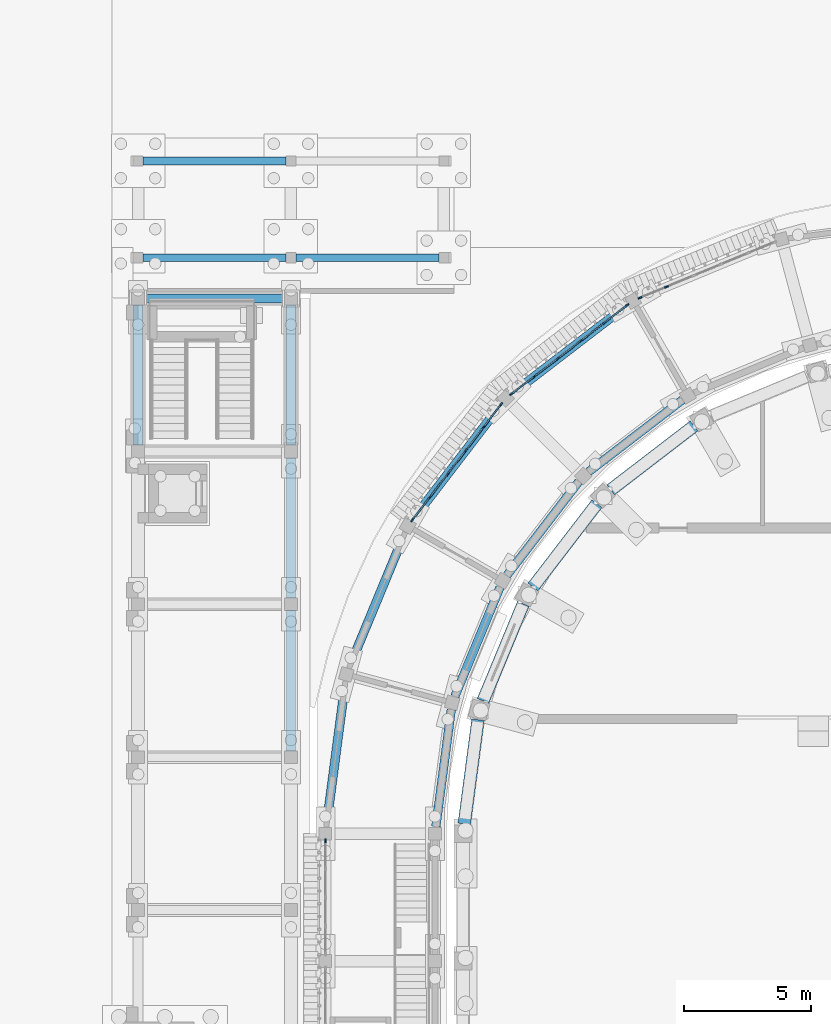
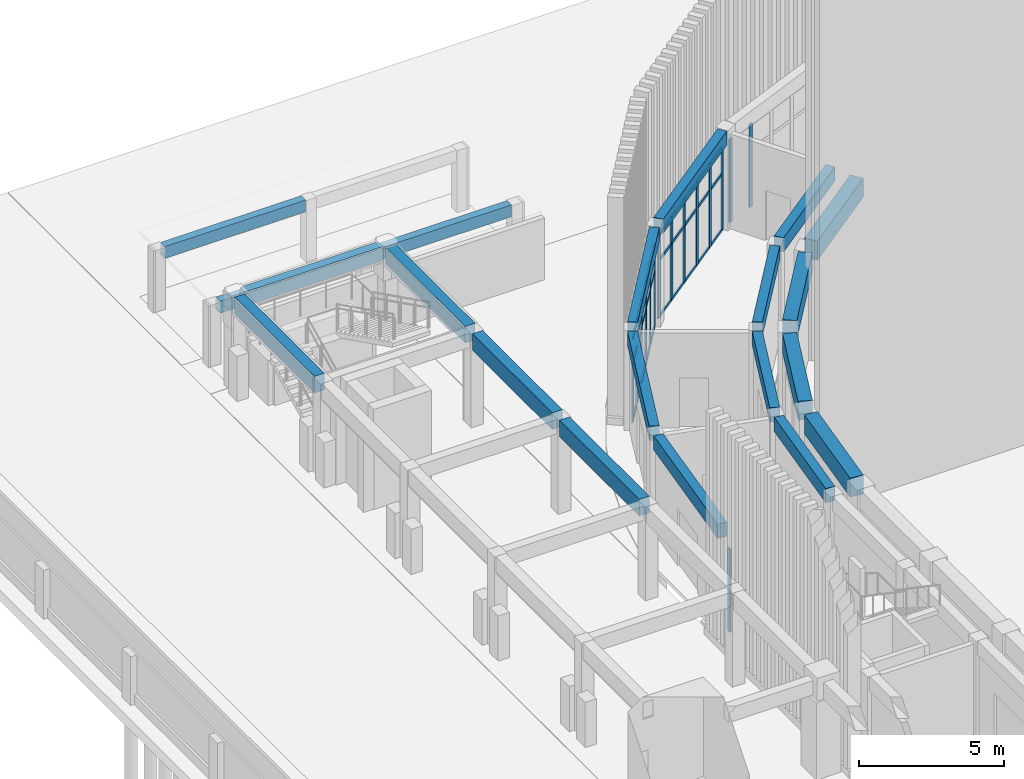
# One storey, part 31 of 112: 45 members, 20 beams, 4 elements without a shape of their own.
"""IFC4 building model written with IfcOpenShell, lengths in metres."""

from ifc_helpers import new_model, si_unit, direction, frame, origin, origin_2d, place, context, subcontext, project, spatial, rectangle, extrude, material, layer, layer_set, material_profile, profile_set, type_object, element, aggregate, save


model = new_model("IFC4")

# Units and contexts
model_context = context("Model", 3, precision=1e-05, world=origin(), true_north=direction((0.0, 1.0)))
body_context = subcontext(model_context, "Body", "Model", "MODEL_VIEW")
ifc_project = project(units=[si_unit("LENGTHUNIT", "METRE"), si_unit("AREAUNIT", "SQUARE_METRE"), si_unit("VOLUMEUNIT", "CUBIC_METRE"), si_unit("PLANEANGLEUNIT", "RADIAN"), si_unit("MASSUNIT", "GRAM", prefix="KILO")], contexts=[model_context])

# Site, building, storey
site_placement = place(None, origin())
site = spatial("IfcSite", under=ifc_project, at=site_placement, CompositionType="ELEMENT")
building_placement = place(site_placement, origin())
building = spatial("IfcBuilding", under=site, at=building_placement, Name="Wasatch Bagh Community Centre", CompositionType="ELEMENT")
storey_placement = place(building_placement, origin())
storey = spatial("IfcBuildingStorey", under=building, at=storey_placement, Name="L00", CompositionType="ELEMENT", Elevation=0.0)

# Beams
ifc_material_1 = material(Name="Concrete C35", Category="concrete")
ifc_material_profile_1 = material_profile(ifc_material_1, rectangle(XDim=0.39990234375, YDim=0.699951171875, at=origin_2d()), Name="RC 400x700")
ifc_profile_set_1 = profile_set([ifc_material_profile_1], Name="Concrete C35")
beam_type_1 = type_object("IfcBeamType", Name="CT-B1", PredefinedType="BEAM", material=ifc_profile_set_1)
for number, where, z_axis, x_axis, name in (
    (1, (4.5, 80.25, 3.60009765625), (0.0, 1.0, 0.0), (-1.0, 0.0, 0.0), "CT.beam.L00.012"),
    (2, (10.5, 68.25, 3.60009765625), (0.0, 1.0, 0.0), (-1.0, 0.0, 0.0), "CT.beam.L00.022"),
    (3, (10.5, 74.25, 3.60009765625), (0.0, 1.0, 0.0), (-1.0, 0.0, 0.0), "CT.beam.L00.023"),
    (4, (10.5, 80.25, 3.60009765625), (0.0, 1.0, 0.0), (-1.0, 0.0, 0.0), "CT.beam.L00.024"),
):
    element("IfcBeam", number, at=place(storey_placement, frame(where, z_axis=z_axis, x_axis=x_axis)), inside=storey, type_object=beam_type_1, Name=name, PredefinedType="BEAM", context=body_context, shape_type="SweptSolid", body=[
        extrude(rectangle(XDim=0.39990234375, YDim=0.699951171875, at=origin_2d()), origin(), (0.0, 0.0, 1.0), 5.5),
    ])
ifc_material_profile_2 = material_profile(ifc_material_1, rectangle(XDim=0.35009765625, YDim=0.60009765625, at=origin_2d()), Name="RC 350x600")
ifc_profile_set_2 = profile_set([ifc_material_profile_2], Name="Concrete C35")
beam_type_2 = type_object("IfcBeamType", Name="CT-B2", PredefinedType="BEAM", material=ifc_profile_set_2)
beam_1_placement = place(storey_placement, frame((4.75, 86.0, 3.64990234375), z_axis=(1.0, 0.0, 0.0), x_axis=(0.0, 1.0, 0.0)))
element("IfcBeam", 5, at=beam_1_placement, inside=storey, type_object=beam_type_2, Name="CT.beam.L00.X038", PredefinedType="BEAM", context=body_context, shape_type="SweptSolid", body=[
    extrude(rectangle(XDim=0.35009765625, YDim=0.60009765625, at=origin_2d()), origin(), (0.0, 0.0, 1.0), 5.5),
])

# Curtain wall, members
ifc_material_2 = material(Name="Aluminium curtain wall frame with low-iron insulated glass", Category="aluminium")
ifc_layer_1 = layer(ifc_material_2, 0.14990234375)
ifc_layer_set_1 = layer_set([ifc_layer_1], Name="Aluminium curtain wall frame with low-iron insulated glass")
curtain_wall_type_1 = type_object("IfcCurtainWallType", Name="Drum curtain wall DR-CW1", PredefinedType="NOTDEFINED", material=ifc_layer_set_1)
curtain_wall_1_placement = place(storey_placement, origin())
curtain_wall_1 = element("IfcCurtainWall", 6, at=curtain_wall_1_placement, inside=storey, type_object=curtain_wall_type_1, Name="Curtain wall DR-CW1 26", PredefinedType="NOTDEFINED")
ifc_material_3 = material(Name="Aluminium curtain wall frame", Category="aluminium")
ifc_material_profile_3 = material_profile(ifc_material_3, rectangle(XDim=0.06005859375, YDim=0.159912109375, at=origin_2d()), Name="Drum mullion DR-CW1")
ifc_profile_set_3 = profile_set([ifc_material_profile_3], Name="Aluminium curtain wall frame")
member_type_1 = type_object("IfcMemberType", Name="Drum mullion DR-CW1", PredefinedType="MULLION", material=ifc_profile_set_3)
member_1_placement = place(storey_placement, frame((25.2353515625, 86.457275390625, 0.0), z_axis=(0.0, 0.0, 1.0), x_axis=(0.38268343251, -0.923879532451, 0.0)))
member_1 = element("IfcMember", 7, at=member_1_placement, type_object=member_type_1, Name="DR-CW1 mullion 5", PredefinedType="MULLION", context=body_context, shape_type="SweptSolid", body=[
    extrude(rectangle(XDim=0.06005859375, YDim=0.159912109375, at=origin_2d()), origin(), (0.0, 0.0, 1.0), 3.5),
])
member_2_placement = place(storey_placement, frame((24.1953125, 86.0263671875, 0.0), z_axis=(0.0, 0.0, 1.0), x_axis=(0.38268343251, -0.923879532451, 0.0)))
member_2 = element("IfcMember", 8, at=member_2_placement, type_object=member_type_1, Name="DR-CW1 mullion 6", PredefinedType="MULLION", context=body_context, shape_type="SweptSolid", body=[
    extrude(rectangle(XDim=0.06005859375, YDim=0.159912109375, at=origin_2d()), origin(), (0.0, 0.0, 1.0), 3.5),
])
aggregate(curtain_wall_1, [member_1, member_2])

curtain_wall_2_placement = place(storey_placement, origin())
curtain_wall_2 = element("IfcCurtainWall", 9, at=curtain_wall_2_placement, inside=storey, type_object=curtain_wall_type_1, Name="Curtain wall DR-CW1 27", PredefinedType="NOTDEFINED")
member_3_placement = place(storey_placement, frame((23.69287109375, 85.736328125, 0.0), z_axis=(0.0, 0.0, 1.0), x_axis=(0.608761429133, -0.793353340196, 0.0)))
member_3 = element("IfcMember", 10, at=member_3_placement, type_object=member_type_1, Name="DR-CW1 mullion 1", PredefinedType="MULLION", context=body_context, shape_type="SweptSolid", body=[
    extrude(rectangle(XDim=0.06005859375, YDim=0.159912109375, at=origin_2d()), origin(), (0.0, 0.0, 1.0), 3.5),
])
member_4_placement = place(storey_placement, frame((22.7998046875, 85.051025390625, 0.0), z_axis=(0.0, 0.0, 1.0), x_axis=(0.608761429133, -0.793353340196, 0.0)))
member_4 = element("IfcMember", 11, at=member_4_placement, type_object=member_type_1, Name="DR-CW1 mullion 2", PredefinedType="MULLION", context=body_context, shape_type="SweptSolid", body=[
    extrude(rectangle(XDim=0.06005859375, YDim=0.159912109375, at=origin_2d()), origin(), (0.0, 0.0, 1.0), 3.5),
])
member_5_placement = place(storey_placement, frame((21.8828125, 84.347412109375, 0.0), z_axis=(0.0, 0.0, 1.0), x_axis=(0.608761429133, -0.793353340196, 0.0)))
member_5 = element("IfcMember", 12, at=member_5_placement, type_object=member_type_1, Name="DR-CW1 mullion 3", PredefinedType="MULLION", context=body_context, shape_type="SweptSolid", body=[
    extrude(rectangle(XDim=0.06005859375, YDim=0.159912109375, at=origin_2d()), origin(), (0.0, 0.0, 1.0), 3.5),
])
member_6_placement = place(storey_placement, frame((20.965576171875, 83.643798828125, 0.0), z_axis=(0.0, 0.0, 1.0), x_axis=(0.608761429133, -0.793353340196, 0.0)))
member_6 = element("IfcMember", 13, at=member_6_placement, type_object=member_type_1, Name="DR-CW1 mullion 4", PredefinedType="MULLION", context=body_context, shape_type="SweptSolid", body=[
    extrude(rectangle(XDim=0.06005859375, YDim=0.159912109375, at=origin_2d()), origin(), (0.0, 0.0, 1.0), 3.5),
])
member_7_placement = place(storey_placement, frame((20.048583984375, 82.940185546875, 0.0), z_axis=(0.0, 0.0, 1.0), x_axis=(0.608761429133, -0.793353340196, 0.0)))
member_7 = element("IfcMember", 14, at=member_7_placement, type_object=member_type_1, Name="DR-CW1 mullion 5", PredefinedType="MULLION", context=body_context, shape_type="SweptSolid", body=[
    extrude(rectangle(XDim=0.06005859375, YDim=0.159912109375, at=origin_2d()), origin(), (0.0, 0.0, 1.0), 3.5),
])
member_8_placement = place(storey_placement, frame((19.155517578125, 82.254638671875, 0.0), z_axis=(0.0, 0.0, 1.0), x_axis=(0.608761429133, -0.793353340196, 0.0)))
member_8 = element("IfcMember", 15, at=member_8_placement, type_object=member_type_1, Name="DR-CW1 mullion 6", PredefinedType="MULLION", context=body_context, shape_type="SweptSolid", body=[
    extrude(rectangle(XDim=0.06005859375, YDim=0.159912109375, at=origin_2d()), origin(), (0.0, 0.0, 1.0), 3.5),
])

curtain_wall_3_placement = place(storey_placement, origin())
curtain_wall_3 = element("IfcCurtainWall", 16, at=curtain_wall_3_placement, inside=storey, type_object=curtain_wall_type_1, Name="Curtain wall DR-CW1 28", PredefinedType="NOTDEFINED")
member_9_placement = place(storey_placement, frame((18.745361328125, 81.844482421875, 0.0), z_axis=(0.0, 0.0, 1.0), x_axis=(0.793353340196, -0.608761429133, 0.0)))
member_9 = element("IfcMember", 17, at=member_9_placement, type_object=member_type_1, Name="DR-CW1 mullion 1", PredefinedType="MULLION", context=body_context, shape_type="SweptSolid", body=[
    extrude(rectangle(XDim=0.06005859375, YDim=0.159912109375, at=origin_2d()), origin(), (0.0, 0.0, 1.0), 3.5),
])
member_10_placement = place(storey_placement, frame((18.059814453125, 80.951416015625, 0.0), z_axis=(0.0, 0.0, 1.0), x_axis=(0.793353340196, -0.608761429133, 0.0)))
member_10 = element("IfcMember", 18, at=member_10_placement, type_object=member_type_1, Name="DR-CW1 mullion 2", PredefinedType="MULLION", context=body_context, shape_type="SweptSolid", body=[
    extrude(rectangle(XDim=0.06005859375, YDim=0.159912109375, at=origin_2d()), origin(), (0.0, 0.0, 1.0), 3.5),
])
member_11_placement = place(storey_placement, frame((17.356201171875, 80.034423828125, 0.0), z_axis=(0.0, 0.0, 1.0), x_axis=(0.793353340196, -0.608761429133, 0.0)))
member_11 = element("IfcMember", 19, at=member_11_placement, type_object=member_type_1, Name="DR-CW1 mullion 3", PredefinedType="MULLION", context=body_context, shape_type="SweptSolid", body=[
    extrude(rectangle(XDim=0.06005859375, YDim=0.159912109375, at=origin_2d()), origin(), (0.0, 0.0, 1.0), 3.5),
])
member_12_placement = place(storey_placement, frame((16.652587890625, 79.1171875, 0.0), z_axis=(0.0, 0.0, 1.0), x_axis=(0.793353340196, -0.608761429133, 0.0)))
member_12 = element("IfcMember", 20, at=member_12_placement, type_object=member_type_1, Name="DR-CW1 mullion 4", PredefinedType="MULLION", context=body_context, shape_type="SweptSolid", body=[
    extrude(rectangle(XDim=0.06005859375, YDim=0.159912109375, at=origin_2d()), origin(), (0.0, 0.0, 1.0), 3.5),
])
member_13_placement = place(storey_placement, frame((15.948974609375, 78.2001953125, 0.0), z_axis=(0.0, 0.0, 1.0), x_axis=(0.793353340196, -0.608761429133, 0.0)))
member_13 = element("IfcMember", 21, at=member_13_placement, type_object=member_type_1, Name="DR-CW1 mullion 5", PredefinedType="MULLION", context=body_context, shape_type="SweptSolid", body=[
    extrude(rectangle(XDim=0.06005859375, YDim=0.159912109375, at=origin_2d()), origin(), (0.0, 0.0, 1.0), 3.5),
])
member_14_placement = place(storey_placement, frame((15.263671875, 77.30712890625, 0.0), z_axis=(0.0, 0.0, 1.0), x_axis=(0.793353340196, -0.608761429133, 0.0)))
member_14 = element("IfcMember", 22, at=member_14_placement, type_object=member_type_1, Name="DR-CW1 mullion 6", PredefinedType="MULLION", context=body_context, shape_type="SweptSolid", body=[
    extrude(rectangle(XDim=0.06005859375, YDim=0.159912109375, at=origin_2d()), origin(), (0.0, 0.0, 1.0), 3.5),
])

# Curtain wall, member
ifc_layer_2 = layer(ifc_material_2, 0.14990234375)
ifc_layer_set_2 = layer_set([ifc_layer_2], Name="Aluminium curtain wall frame with low-iron insulated glass")
curtain_wall_type_2 = type_object("IfcCurtainWallType", Name="Drum curtain wall DR-CW3", PredefinedType="NOTDEFINED", material=ifc_layer_set_2)
curtain_wall_4_placement = place(storey_placement, origin())
curtain_wall_4 = element("IfcCurtainWall", 23, at=curtain_wall_4_placement, inside=storey, type_object=curtain_wall_type_2, Name="Curtain wall DR-CW3 31", PredefinedType="NOTDEFINED")
ifc_material_profile_4 = material_profile(ifc_material_3, rectangle(XDim=0.06005859375, YDim=0.159912109375, at=origin_2d()), Name="Drum mullion DR-CW3")
ifc_profile_set_4 = profile_set([ifc_material_profile_4], Name="Aluminium curtain wall frame")
member_type_2 = type_object("IfcMemberType", Name="Drum mullion DR-CW3", PredefinedType="MULLION", material=ifc_profile_set_4)
member_15_placement = place(storey_placement, frame((11.85009765625, 64.719482421875, 0.0), z_axis=(0.0, 0.0, 1.0), x_axis=(1.0, 0.0, 0.0)))
member_15 = element("IfcMember", 24, at=member_15_placement, type_object=member_type_2, Name="DR-CW3 mullion 1", PredefinedType="MULLION", context=body_context, shape_type="SweptSolid", body=[
    extrude(rectangle(XDim=0.06005859375, YDim=0.159912109375, at=origin_2d()), origin(), (0.0, 0.0, 1.0), 3.5),
])
aggregate(curtain_wall_4, [member_15])

# Beams
ifc_material_profile_5 = material_profile(ifc_material_1, rectangle(XDim=0.35009765625, YDim=0.60009765625, at=origin_2d()), Name="RC 350x600")
ifc_profile_set_5 = profile_set([ifc_material_profile_5], Name="Concrete C35")
beam_type_3 = type_object("IfcBeamType", Name="Drum ring beam RC 350x600", PredefinedType="BEAM", material=ifc_profile_set_5)
for number, where, z_axis, x_axis, name in (
    (25, (25.856201171875, 82.022705078125, 3.89990234375), (-0.793352555691, -0.608762451519, 0.0), (0.608762451519, -0.793352555691, 0.0), "Ring beam 4.2 DI-N8-DI-N9"),
    (26, (21.796142578125, 78.8173828125, 3.89990234375), (-0.608762451519, -0.793352555691, 0.0), (0.793352555691, -0.608762451519, 0.0), "Ring beam 4.2 DI-N9-DI-N10"),
):
    element("IfcBeam", number, at=place(storey_placement, frame(where, z_axis=z_axis, x_axis=x_axis)), inside=storey, type_object=beam_type_3, Name=name, PredefinedType="BEAM", context=body_context, shape_type="SweptSolid", body=[
        extrude(rectangle(XDim=0.35009765625, YDim=0.60009765625, at=origin_2d()), origin(), (0.0, 0.0, 1.0), 4.63037109375),
    ])
beam_2_placement = place(storey_placement, frame((18.703857421875, 74.67041015625, 3.89990234375), z_axis=(-0.382671540178, -0.923884458327, 0.0), x_axis=(0.923884458327, -0.382671540178, 0.0)))
element("IfcBeam", 27, at=beam_2_placement, inside=storey, type_object=beam_type_3, Name="Ring beam 4.2 DI-N10-DI-N11", PredefinedType="BEAM", context=body_context, shape_type="SweptSolid", body=[
    extrude(rectangle(XDim=0.35009765625, YDim=0.60009765625, at=origin_2d()), origin(), (0.0, 0.0, 1.0), 4.630615234375),
])
beam_3_placement = place(storey_placement, frame((16.790283203125, 69.8642578125, 3.89990234375), z_axis=(-0.130495429401, -0.99144891089, 0.0), x_axis=(0.99144891089, -0.130495429401, 0.0)))
element("IfcBeam", 28, at=beam_3_placement, inside=storey, type_object=beam_type_3, Name="Ring beam 4.2 DI-N11-DI-W7", PredefinedType="BEAM", context=body_context, shape_type="SweptSolid", body=[
    extrude(rectangle(XDim=0.35009765625, YDim=0.60009765625, at=origin_2d()), origin(), (0.0, 0.0, 1.0), 4.63037109375),
])
for number, where, z_axis, x_axis, name in (
    (29, (23.706298828125, 85.74658203125, 3.89990234375), (-0.793356989288, -0.608756673514, 0.0), (0.608756673514, -0.793356989288, 0.0), "Ring beam 4.2 DO-N8-DO-N9"),
    (30, (18.755615234375, 81.85791015625, 3.89990234375), (-0.608756673514, -0.793356989288, 0.0), (0.793356989288, -0.608756673514, 0.0), "Ring beam 4.2 DO-N9-DO-N10"),
):
    element("IfcBeam", number, at=place(storey_placement, frame(where, z_axis=z_axis, x_axis=x_axis)), inside=storey, type_object=beam_type_3, Name=name, PredefinedType="BEAM", context=body_context, shape_type="SweptSolid", body=[
        extrude(rectangle(XDim=0.35009765625, YDim=0.60009765625, at=origin_2d()), origin(), (0.0, 0.0, 1.0), 5.7529296875),
    ])
beam_4_placement = place(storey_placement, frame((14.97998046875, 76.8203125, 3.89990234375), z_axis=(-0.38268910224, -0.923877183952, 0.0), x_axis=(0.923877183952, -0.38268910224, 0.0)))
element("IfcBeam", 31, at=beam_4_placement, inside=storey, type_object=beam_type_3, Name="Ring beam 4.2 DO-N10-DO-N11", PredefinedType="BEAM", context=body_context, shape_type="SweptSolid", body=[
    extrude(rectangle(XDim=0.35009765625, YDim=0.60009765625, at=origin_2d()), origin(), (0.0, 0.0, 1.0), 5.753173828125),
])
beam_5_placement = place(storey_placement, frame((12.636962890625, 70.97705078125, 3.89990234375), z_axis=(-0.130540139759, -0.991443025046, 0.0), x_axis=(0.991443025046, -0.130540139759, 0.0)))
element("IfcBeam", 32, at=beam_5_placement, inside=storey, type_object=beam_type_3, Name="Ring beam 4.2 DO-N11-DO-W7", PredefinedType="BEAM", context=body_context, shape_type="SweptSolid", body=[
    extrude(rectangle(XDim=0.35009765625, YDim=0.60009765625, at=origin_2d()), origin(), (0.0, 0.0, 1.0), 5.7529296875),
])

# Member
ifc_material_profile_6 = material_profile(ifc_material_3, rectangle(XDim=0.06005859375, YDim=0.1201171875, at=origin_2d()), Name="Drum transom DR-CW1")
ifc_profile_set_6 = profile_set([ifc_material_profile_6], Name="Aluminium curtain wall frame")
member_type_3 = type_object("IfcMemberType", Name="Drum transom DR-CW1", PredefinedType="USERDEFINED", material=ifc_profile_set_6)
member_16_placement = place(storey_placement, frame((23.669189453125, 85.71826171875, 0.030029296875), z_axis=(-0.793355628453, -0.608758447006, 0.0), x_axis=(0.608758447006, -0.793355628453, 0.0)))
member_16 = element("IfcMember", 33, at=member_16_placement, type_object=member_type_3, Name="DR-CW1 transom 1.1", ObjectType="TRANSOM", PredefinedType="USERDEFINED", context=body_context, shape_type="SweptSolid", body=[
    extrude(rectangle(XDim=0.06005859375, YDim=0.1201171875, at=origin_2d()), origin(), (0.0, 0.0, 1.0), 1.06591796875),
])

member_17_placement = place(storey_placement, frame((23.669189453125, 85.71826171875, 2.39990234375), z_axis=(-0.793355628453, -0.608758447006, 0.0), x_axis=(0.608758447006, -0.793355628453, 0.0)))
member_17 = element("IfcMember", 34, at=member_17_placement, type_object=member_type_3, Name="DR-CW1 transom 1.2", ObjectType="TRANSOM", PredefinedType="USERDEFINED", context=body_context, shape_type="SweptSolid", body=[
    extrude(rectangle(XDim=0.06005859375, YDim=0.1201171875, at=origin_2d()), origin(), (0.0, 0.0, 1.0), 1.06591796875),
])

member_18_placement = place(storey_placement, frame((23.669189453125, 85.71826171875, 3.469970703125), z_axis=(-0.793355628453, -0.608758447006, 0.0), x_axis=(0.608758447006, -0.793355628453, 0.0)))
member_18 = element("IfcMember", 35, at=member_18_placement, type_object=member_type_3, Name="DR-CW1 transom 1.3", ObjectType="TRANSOM", PredefinedType="USERDEFINED", context=body_context, shape_type="SweptSolid", body=[
    extrude(rectangle(XDim=0.06005859375, YDim=0.1201171875, at=origin_2d()), origin(), (0.0, 0.0, 1.0), 1.06591796875),
])

member_19_placement = place(storey_placement, frame((22.77587890625, 85.03271484375, 0.030029296875), z_axis=(-0.793401911405, -0.608698124672, 0.0), x_axis=(0.608698124672, -0.793401911405, 0.0)))
member_19 = element("IfcMember", 36, at=member_19_placement, type_object=member_type_3, Name="DR-CW1 transom 2.1", ObjectType="TRANSOM", PredefinedType="USERDEFINED", context=body_context, shape_type="SweptSolid", body=[
    extrude(rectangle(XDim=0.06005859375, YDim=0.1201171875, at=origin_2d()), origin(), (0.0, 0.0, 1.0), 1.095703125),
])

member_20_placement = place(storey_placement, frame((22.77587890625, 85.03271484375, 2.39990234375), z_axis=(-0.793401911405, -0.608698124672, 0.0), x_axis=(0.608698124672, -0.793401911405, 0.0)))
member_20 = element("IfcMember", 37, at=member_20_placement, type_object=member_type_3, Name="DR-CW1 transom 2.2", ObjectType="TRANSOM", PredefinedType="USERDEFINED", context=body_context, shape_type="SweptSolid", body=[
    extrude(rectangle(XDim=0.06005859375, YDim=0.1201171875, at=origin_2d()), origin(), (0.0, 0.0, 1.0), 1.095703125),
])

member_21_placement = place(storey_placement, frame((22.77587890625, 85.03271484375, 3.469970703125), z_axis=(-0.793401911405, -0.608698124672, 0.0), x_axis=(0.608698124672, -0.793401911405, 0.0)))
member_21 = element("IfcMember", 38, at=member_21_placement, type_object=member_type_3, Name="DR-CW1 transom 2.3", ObjectType="TRANSOM", PredefinedType="USERDEFINED", context=body_context, shape_type="SweptSolid", body=[
    extrude(rectangle(XDim=0.06005859375, YDim=0.1201171875, at=origin_2d()), origin(), (0.0, 0.0, 1.0), 1.095703125),
])

member_22_placement = place(storey_placement, frame((21.85888671875, 84.3291015625, 0.030029296875), z_axis=(-0.793401911405, -0.608698124672, 0.0), x_axis=(0.608698124672, -0.793401911405, 0.0)))
member_22 = element("IfcMember", 39, at=member_22_placement, type_object=member_type_3, Name="DR-CW1 transom 3.1", ObjectType="TRANSOM", PredefinedType="USERDEFINED", context=body_context, shape_type="SweptSolid", body=[
    extrude(rectangle(XDim=0.06005859375, YDim=0.1201171875, at=origin_2d()), origin(), (0.0, 0.0, 1.0), 1.095703125),
])

member_23_placement = place(storey_placement, frame((21.85888671875, 84.3291015625, 2.39990234375), z_axis=(-0.793401911405, -0.608698124672, 0.0), x_axis=(0.608698124672, -0.793401911405, 0.0)))
member_23 = element("IfcMember", 40, at=member_23_placement, type_object=member_type_3, Name="DR-CW1 transom 3.2", ObjectType="TRANSOM", PredefinedType="USERDEFINED", context=body_context, shape_type="SweptSolid", body=[
    extrude(rectangle(XDim=0.06005859375, YDim=0.1201171875, at=origin_2d()), origin(), (0.0, 0.0, 1.0), 1.095703125),
])

member_24_placement = place(storey_placement, frame((21.85888671875, 84.3291015625, 3.469970703125), z_axis=(-0.793401911405, -0.608698124672, 0.0), x_axis=(0.608698124672, -0.793401911405, 0.0)))
member_24 = element("IfcMember", 41, at=member_24_placement, type_object=member_type_3, Name="DR-CW1 transom 3.3", ObjectType="TRANSOM", PredefinedType="USERDEFINED", context=body_context, shape_type="SweptSolid", body=[
    extrude(rectangle(XDim=0.06005859375, YDim=0.1201171875, at=origin_2d()), origin(), (0.0, 0.0, 1.0), 1.095703125),
])

member_25_placement = place(storey_placement, frame((20.94189453125, 83.62548828125, 0.030029296875), z_axis=(-0.793294312563, -0.608838347721, 0.0), x_axis=(0.608838347721, -0.793294312563, 0.0)))
member_25 = element("IfcMember", 42, at=member_25_placement, type_object=member_type_3, Name="DR-CW1 transom 4.1", ObjectType="TRANSOM", PredefinedType="USERDEFINED", context=body_context, shape_type="SweptSolid", body=[
    extrude(rectangle(XDim=0.06005859375, YDim=0.1201171875, at=origin_2d()), origin(), (0.0, 0.0, 1.0), 1.095947265625),
])

member_26_placement = place(storey_placement, frame((20.94189453125, 83.62548828125, 2.39990234375), z_axis=(-0.793294312563, -0.608838347721, 0.0), x_axis=(0.608838347721, -0.793294312563, 0.0)))
member_26 = element("IfcMember", 43, at=member_26_placement, type_object=member_type_3, Name="DR-CW1 transom 4.2", ObjectType="TRANSOM", PredefinedType="USERDEFINED", context=body_context, shape_type="SweptSolid", body=[
    extrude(rectangle(XDim=0.06005859375, YDim=0.1201171875, at=origin_2d()), origin(), (0.0, 0.0, 1.0), 1.095947265625),
])

member_27_placement = place(storey_placement, frame((20.94189453125, 83.62548828125, 3.469970703125), z_axis=(-0.793294312563, -0.608838347721, 0.0), x_axis=(0.608838347721, -0.793294312563, 0.0)))
member_27 = element("IfcMember", 44, at=member_27_placement, type_object=member_type_3, Name="DR-CW1 transom 4.3", ObjectType="TRANSOM", PredefinedType="USERDEFINED", context=body_context, shape_type="SweptSolid", body=[
    extrude(rectangle(XDim=0.06005859375, YDim=0.1201171875, at=origin_2d()), origin(), (0.0, 0.0, 1.0), 1.095947265625),
])

member_28_placement = place(storey_placement, frame((20.02490234375, 82.921875, 0.030029296875), z_axis=(-0.793355628453, -0.608758447006, 0.0), x_axis=(0.608758447006, -0.793355628453, 0.0)))
member_28 = element("IfcMember", 45, at=member_28_placement, type_object=member_type_3, Name="DR-CW1 transom 5.1", ObjectType="TRANSOM", PredefinedType="USERDEFINED", context=body_context, shape_type="SweptSolid", body=[
    extrude(rectangle(XDim=0.06005859375, YDim=0.1201171875, at=origin_2d()), origin(), (0.0, 0.0, 1.0), 1.06591796875),
])

member_29_placement = place(storey_placement, frame((20.02490234375, 82.921875, 2.39990234375), z_axis=(-0.793355628453, -0.608758447006, 0.0), x_axis=(0.608758447006, -0.793355628453, 0.0)))
member_29 = element("IfcMember", 46, at=member_29_placement, type_object=member_type_3, Name="DR-CW1 transom 5.2", ObjectType="TRANSOM", PredefinedType="USERDEFINED", context=body_context, shape_type="SweptSolid", body=[
    extrude(rectangle(XDim=0.06005859375, YDim=0.1201171875, at=origin_2d()), origin(), (0.0, 0.0, 1.0), 1.06591796875),
])

member_30_placement = place(storey_placement, frame((20.02490234375, 82.921875, 3.469970703125), z_axis=(-0.793355628453, -0.608758447006, 0.0), x_axis=(0.608758447006, -0.793355628453, 0.0)))
member_30 = element("IfcMember", 47, at=member_30_placement, type_object=member_type_3, Name="DR-CW1 transom 5.3", ObjectType="TRANSOM", PredefinedType="USERDEFINED", context=body_context, shape_type="SweptSolid", body=[
    extrude(rectangle(XDim=0.06005859375, YDim=0.1201171875, at=origin_2d()), origin(), (0.0, 0.0, 1.0), 1.06591796875),
])

aggregate(curtain_wall_2, [member_3, member_4, member_5, member_6, member_7, member_8, member_16, member_17, member_18, member_19, member_20, member_21, member_22, member_23, member_24, member_25, member_26, member_27, member_28, member_29, member_30])

member_31_placement = place(storey_placement, frame((18.72705078125, 81.82080078125, 0.030029296875), z_axis=(-0.608758447006, -0.793355628453, 0.0), x_axis=(0.793355628453, -0.608758447006, 0.0)))
member_31 = element("IfcMember", 48, at=member_31_placement, type_object=member_type_3, Name="DR-CW1 transom 1.1", ObjectType="TRANSOM", PredefinedType="USERDEFINED", context=body_context, shape_type="SweptSolid", body=[
    extrude(rectangle(XDim=0.06005859375, YDim=0.1201171875, at=origin_2d()), origin(), (0.0, 0.0, 1.0), 1.06591796875),
])

member_32_placement = place(storey_placement, frame((18.72705078125, 81.82080078125, 2.39990234375), z_axis=(-0.608758447006, -0.793355628453, 0.0), x_axis=(0.793355628453, -0.608758447006, 0.0)))
member_32 = element("IfcMember", 49, at=member_32_placement, type_object=member_type_3, Name="DR-CW1 transom 1.2", ObjectType="TRANSOM", PredefinedType="USERDEFINED", context=body_context, shape_type="SweptSolid", body=[
    extrude(rectangle(XDim=0.06005859375, YDim=0.1201171875, at=origin_2d()), origin(), (0.0, 0.0, 1.0), 1.06591796875),
])

member_33_placement = place(storey_placement, frame((18.72705078125, 81.82080078125, 3.469970703125), z_axis=(-0.608758447006, -0.793355628453, 0.0), x_axis=(0.793355628453, -0.608758447006, 0.0)))
member_33 = element("IfcMember", 50, at=member_33_placement, type_object=member_type_3, Name="DR-CW1 transom 1.3", ObjectType="TRANSOM", PredefinedType="USERDEFINED", context=body_context, shape_type="SweptSolid", body=[
    extrude(rectangle(XDim=0.06005859375, YDim=0.1201171875, at=origin_2d()), origin(), (0.0, 0.0, 1.0), 1.06591796875),
])

member_34_placement = place(storey_placement, frame((18.041748046875, 80.927490234375, 0.030029296875), z_axis=(-0.608838347721, -0.793294312563, 0.0), x_axis=(0.793294312563, -0.608838347721, 0.0)))
member_34 = element("IfcMember", 51, at=member_34_placement, type_object=member_type_3, Name="DR-CW1 transom 2.1", ObjectType="TRANSOM", PredefinedType="USERDEFINED", context=body_context, shape_type="SweptSolid", body=[
    extrude(rectangle(XDim=0.06005859375, YDim=0.1201171875, at=origin_2d()), origin(), (0.0, 0.0, 1.0), 1.095947265625),
])

member_35_placement = place(storey_placement, frame((18.041748046875, 80.927490234375, 2.39990234375), z_axis=(-0.608838347721, -0.793294312563, 0.0), x_axis=(0.793294312563, -0.608838347721, 0.0)))
member_35 = element("IfcMember", 52, at=member_35_placement, type_object=member_type_3, Name="DR-CW1 transom 2.2", ObjectType="TRANSOM", PredefinedType="USERDEFINED", context=body_context, shape_type="SweptSolid", body=[
    extrude(rectangle(XDim=0.06005859375, YDim=0.1201171875, at=origin_2d()), origin(), (0.0, 0.0, 1.0), 1.095947265625),
])

member_36_placement = place(storey_placement, frame((18.041748046875, 80.927490234375, 3.469970703125), z_axis=(-0.608838347721, -0.793294312563, 0.0), x_axis=(0.793294312563, -0.608838347721, 0.0)))
member_36 = element("IfcMember", 53, at=member_36_placement, type_object=member_type_3, Name="DR-CW1 transom 2.3", ObjectType="TRANSOM", PredefinedType="USERDEFINED", context=body_context, shape_type="SweptSolid", body=[
    extrude(rectangle(XDim=0.06005859375, YDim=0.1201171875, at=origin_2d()), origin(), (0.0, 0.0, 1.0), 1.095947265625),
])

member_37_placement = place(storey_placement, frame((17.337890625, 80.010498046875, 0.030029296875), z_axis=(-0.608698124672, -0.793401911405, 0.0), x_axis=(0.793401911405, -0.608698124672, 0.0)))
member_37 = element("IfcMember", 54, at=member_37_placement, type_object=member_type_3, Name="DR-CW1 transom 3.1", ObjectType="TRANSOM", PredefinedType="USERDEFINED", context=body_context, shape_type="SweptSolid", body=[
    extrude(rectangle(XDim=0.06005859375, YDim=0.1201171875, at=origin_2d()), origin(), (0.0, 0.0, 1.0), 1.095703125),
])

member_38_placement = place(storey_placement, frame((17.337890625, 80.010498046875, 2.39990234375), z_axis=(-0.608698124672, -0.793401911405, 0.0), x_axis=(0.793401911405, -0.608698124672, 0.0)))
member_38 = element("IfcMember", 55, at=member_38_placement, type_object=member_type_3, Name="DR-CW1 transom 3.2", ObjectType="TRANSOM", PredefinedType="USERDEFINED", context=body_context, shape_type="SweptSolid", body=[
    extrude(rectangle(XDim=0.06005859375, YDim=0.1201171875, at=origin_2d()), origin(), (0.0, 0.0, 1.0), 1.095703125),
])

member_39_placement = place(storey_placement, frame((17.337890625, 80.010498046875, 3.469970703125), z_axis=(-0.608698124672, -0.793401911405, 0.0), x_axis=(0.793401911405, -0.608698124672, 0.0)))
member_39 = element("IfcMember", 56, at=member_39_placement, type_object=member_type_3, Name="DR-CW1 transom 3.3", ObjectType="TRANSOM", PredefinedType="USERDEFINED", context=body_context, shape_type="SweptSolid", body=[
    extrude(rectangle(XDim=0.06005859375, YDim=0.1201171875, at=origin_2d()), origin(), (0.0, 0.0, 1.0), 1.095703125),
])

member_40_placement = place(storey_placement, frame((16.63427734375, 79.093505859375, 0.030029296875), z_axis=(-0.608698124672, -0.793401911405, 0.0), x_axis=(0.793401911405, -0.608698124672, 0.0)))
member_40 = element("IfcMember", 57, at=member_40_placement, type_object=member_type_3, Name="DR-CW1 transom 4.1", ObjectType="TRANSOM", PredefinedType="USERDEFINED", context=body_context, shape_type="SweptSolid", body=[
    extrude(rectangle(XDim=0.06005859375, YDim=0.1201171875, at=origin_2d()), origin(), (0.0, 0.0, 1.0), 1.095703125),
])

member_41_placement = place(storey_placement, frame((16.63427734375, 79.093505859375, 2.39990234375), z_axis=(-0.608698124672, -0.793401911405, 0.0), x_axis=(0.793401911405, -0.608698124672, 0.0)))
member_41 = element("IfcMember", 58, at=member_41_placement, type_object=member_type_3, Name="DR-CW1 transom 4.2", ObjectType="TRANSOM", PredefinedType="USERDEFINED", context=body_context, shape_type="SweptSolid", body=[
    extrude(rectangle(XDim=0.06005859375, YDim=0.1201171875, at=origin_2d()), origin(), (0.0, 0.0, 1.0), 1.095703125),
])

member_42_placement = place(storey_placement, frame((16.63427734375, 79.093505859375, 3.469970703125), z_axis=(-0.608698124672, -0.793401911405, 0.0), x_axis=(0.793401911405, -0.608698124672, 0.0)))
member_42 = element("IfcMember", 59, at=member_42_placement, type_object=member_type_3, Name="DR-CW1 transom 4.3", ObjectType="TRANSOM", PredefinedType="USERDEFINED", context=body_context, shape_type="SweptSolid", body=[
    extrude(rectangle(XDim=0.06005859375, YDim=0.1201171875, at=origin_2d()), origin(), (0.0, 0.0, 1.0), 1.095703125),
])

member_43_placement = place(storey_placement, frame((15.9306640625, 78.176513671875, 0.030029296875), z_axis=(-0.608758447006, -0.793355628453, 0.0), x_axis=(0.793355628453, -0.608758447006, 0.0)))
member_43 = element("IfcMember", 60, at=member_43_placement, type_object=member_type_3, Name="DR-CW1 transom 5.1", ObjectType="TRANSOM", PredefinedType="USERDEFINED", context=body_context, shape_type="SweptSolid", body=[
    extrude(rectangle(XDim=0.06005859375, YDim=0.1201171875, at=origin_2d()), origin(), (0.0, 0.0, 1.0), 1.06591796875),
])

member_44_placement = place(storey_placement, frame((15.9306640625, 78.176513671875, 2.39990234375), z_axis=(-0.608758447006, -0.793355628453, 0.0), x_axis=(0.793355628453, -0.608758447006, 0.0)))
member_44 = element("IfcMember", 61, at=member_44_placement, type_object=member_type_3, Name="DR-CW1 transom 5.2", ObjectType="TRANSOM", PredefinedType="USERDEFINED", context=body_context, shape_type="SweptSolid", body=[
    extrude(rectangle(XDim=0.06005859375, YDim=0.1201171875, at=origin_2d()), origin(), (0.0, 0.0, 1.0), 1.06591796875),
])

member_45_placement = place(storey_placement, frame((15.9306640625, 78.176513671875, 3.469970703125), z_axis=(-0.608758447006, -0.793355628453, 0.0), x_axis=(0.793355628453, -0.608758447006, 0.0)))
member_45 = element("IfcMember", 62, at=member_45_placement, type_object=member_type_3, Name="DR-CW1 transom 5.3", ObjectType="TRANSOM", PredefinedType="USERDEFINED", context=body_context, shape_type="SweptSolid", body=[
    extrude(rectangle(XDim=0.06005859375, YDim=0.1201171875, at=origin_2d()), origin(), (0.0, 0.0, 1.0), 1.06591796875),
])

aggregate(curtain_wall_3, [member_9, member_10, member_11, member_12, member_13, member_14, member_31, member_32, member_33, member_34, member_35, member_36, member_37, member_38, member_39, member_40, member_41, member_42, member_43, member_44, member_45])

# Beams
ifc_material_profile_7 = material_profile(ifc_material_1, rectangle(XDim=0.5, YDim=0.800048828125, at=origin_2d()), Name="RC 500x800")
ifc_profile_set_7 = profile_set([ifc_material_profile_7], Name="Concrete C35")
beam_type_4 = type_object("IfcBeamType", Name="MH ring beam RC 500x800", PredefinedType="BEAM", material=ifc_profile_set_7)
for number, where, z_axis, x_axis, name in (
    (63, (26.318359375, 81.002685546875, 3.800048828125), (-0.793341258985, -0.60877717335, 0.0), (0.60877717335, -0.793341258985, 0.0), "Ring beam 4.2 N8-N9"),
    (64, (22.506591796875, 77.95166015625, 3.800048828125), (-0.60877717335, -0.793341258985, 0.0), (0.793341258985, -0.60877717335, 0.0), "Ring beam 4.2 N9-N10"),
    (65, (19.6142578125, 74.01806640625, 3.800048828125), (-0.382688328955, -0.923877504262, 0.0), (0.923877504262, -0.382688328955, 0.0), "Ring beam 4.2 N10-N11"),
    (66, (17.83837890625, 69.4697265625, 3.800048828125), (-0.130483623501, -0.991450464722, 0.0), (0.991450464722, -0.130483623501, 0.0), "Ring beam 4.2 N11-W7"),
):
    element("IfcBeam", number, at=place(storey_placement, frame(where, z_axis=z_axis, x_axis=x_axis)), inside=storey, type_object=beam_type_4, Name=name, PredefinedType="BEAM", context=body_context, shape_type="SweptSolid", body=[
        extrude(rectangle(XDim=0.5, YDim=0.800048828125, at=origin_2d()), origin(), (0.0, 0.0, 1.0), 4.121826171875),
    ])
ifc_material_profile_8 = material_profile(ifc_material_1, rectangle(XDim=0.300048828125, YDim=0.5, at=origin_2d()), Name="RC 300x500")
ifc_profile_set_8 = profile_set([ifc_material_profile_8], Name="Concrete C35")
beam_type_5 = type_object("IfcBeamType", Name="SITE-B1", PredefinedType="BEAM", material=ifc_profile_set_8)
for number, where, z_axis, x_axis, name in (
    (67, (4.699951171875, 87.60009765625, 2.35009765625), (1.0, 0.0, 0.0), (0.0, 1.0, 0.0), "Bicycle store beam 1"),
    (68, (10.699951171875, 87.60009765625, 2.35009765625), (1.0, 0.0, 0.0), (0.0, 1.0, 0.0), "Bicycle store beam 2"),
    (69, (4.699951171875, 91.39990234375, 2.35009765625), (1.0, 0.0, 0.0), (0.0, 1.0, 0.0), "Bicycle store beam 3"),
):
    element("IfcBeam", number, at=place(storey_placement, frame(where, z_axis=z_axis, x_axis=x_axis)), inside=storey, type_object=beam_type_5, Name=name, PredefinedType="BEAM", context=body_context, shape_type="SweptSolid", body=[
        extrude(rectangle(XDim=0.300048828125, YDim=0.5, at=origin_2d()), origin(), (0.0, 0.0, 1.0), 5.60009765625),
    ])

save(model, "model.ifc")
